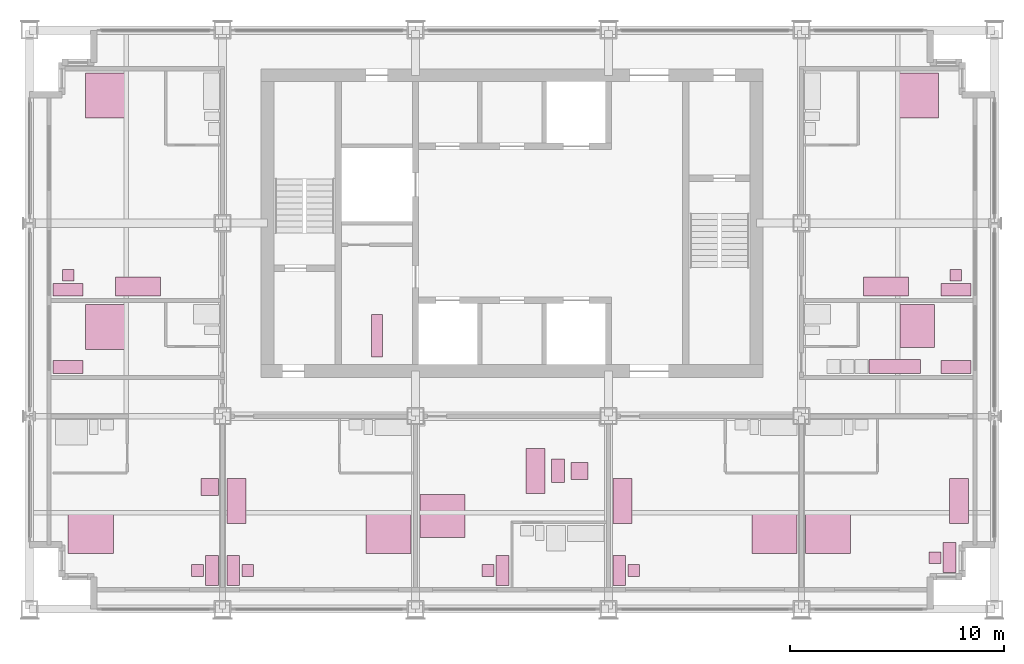
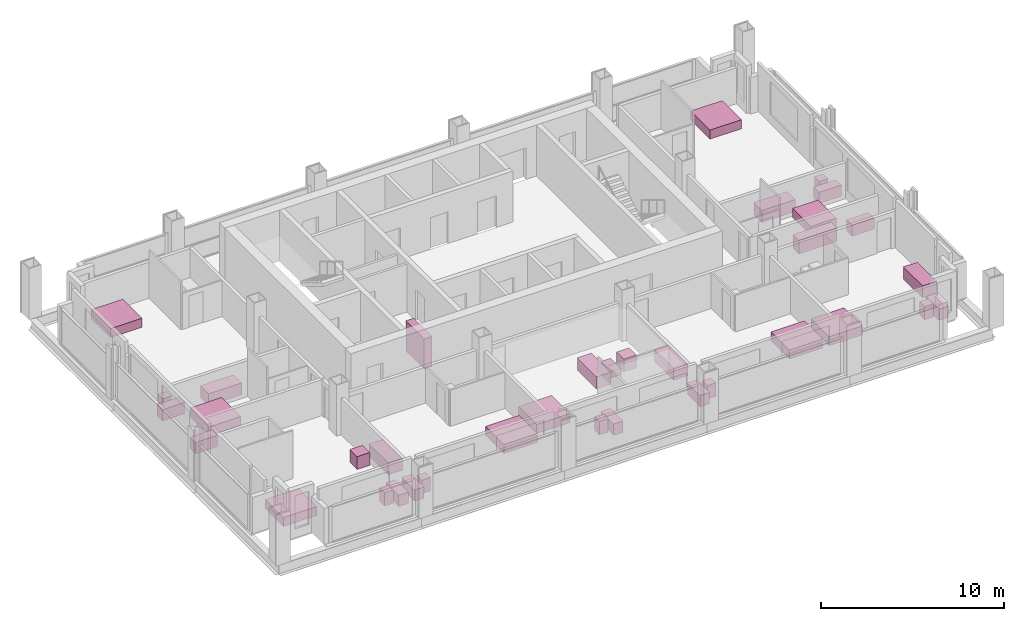
# One storey, part 13 of 13: 36 furniture elements.
"""IFC4 building model written with IfcOpenShell, lengths in metres."""

from ifc_helpers import new_model, si_unit, direction, frame, origin, origin_2d, place, context, subcontext, project, spatial, rectangle, extrude, element, save


model = new_model("IFC4")

# Units and contexts
model_context = context("Model", 3, precision=1e-05, world=origin(), true_north=direction((0.0, 1.0)))
body_context = subcontext(model_context, "Body", "Model", "MODEL_VIEW")
ifc_project = project(units=[si_unit("LENGTHUNIT", "METRE"), si_unit("AREAUNIT", "SQUARE_METRE"), si_unit("VOLUMEUNIT", "CUBIC_METRE"), si_unit("PLANEANGLEUNIT", "RADIAN"), si_unit("MASSUNIT", "GRAM", prefix="KILO")], contexts=[model_context])

# Site, building, storey
site_placement = place(None, origin())
site = spatial("IfcSite", under=ifc_project, at=site_placement, CompositionType="ELEMENT")
building_placement = place(site_placement, origin())
building = spatial("IfcBuilding", under=site, at=building_placement, Name="Loomwork Tower", CompositionType="ELEMENT")
storey_placement = place(building_placement, frame((0.0, 0.0, 174.0)))
storey = spatial("IfcBuildingStorey", under=building, at=storey_placement, Name="L47", CompositionType="ELEMENT", Elevation=174.0)

# Furniture
furniture_1_placement = place(storey_placement, frame((2.85009765625, 3.60009765625, 0.0), z_axis=(0.0, 0.0, 1.0), x_axis=(1.0, 0.0, 0.0)))
element("IfcFurniture", 1, at=furniture_1_placement, inside=storey, Name="King bed L47", PredefinedType="BED", context=body_context, shape_type="SweptSolid", body=[
    extrude(rectangle(XDim=2.10009765625, YDim=2.0, at=origin_2d()), origin(), (0.0, 0.0, 1.0), 0.60009765625),
])
furniture_2_placement = place(storey_placement, frame((8.5, 1.800048828125, 0.0), z_axis=(0.0, 0.0, 1.0), x_axis=(1.0, 0.0, 0.0)))
element("IfcFurniture", 2, at=furniture_2_placement, inside=storey, Name="Writing desk L47", PredefinedType="DESK", context=body_context, shape_type="SweptSolid", body=[
    extrude(rectangle(XDim=0.60009765625, YDim=1.39990234375, at=origin_2d()), origin(), (0.0, 0.0, 1.0), 0.75),
])
furniture_3_placement = place(storey_placement, frame((7.824951171875, 1.800048828125, 0.0), z_axis=(0.0, 0.0, 1.0), x_axis=(1.0, 0.0, 0.0)))
element("IfcFurniture", 3, at=furniture_3_placement, inside=storey, Name="Desk chair L47", PredefinedType="CHAIR", context=body_context, shape_type="SweptSolid", body=[
    extrude(rectangle(XDim=0.550048828125, YDim=0.550048828125, at=origin_2d()), origin(), (0.0, 0.0, 1.0), 0.89990234375),
])
furniture_4_placement = place(storey_placement, frame((8.39990234375, 5.699951171875, 0.0), z_axis=(0.0, 0.0, 1.0), x_axis=(1.0, 0.0, 0.0)))
element("IfcFurniture", 4, at=furniture_4_placement, inside=storey, Name="Lounge armchair L47", PredefinedType="CHAIR", context=body_context, shape_type="SweptSolid", body=[
    extrude(rectangle(XDim=0.800048828125, YDim=0.800048828125, at=origin_2d()), origin(), (0.0, 0.0, 1.0), 0.85009765625),
])
furniture_5_placement = place(storey_placement, frame((16.75, 3.60009765625, 0.0), z_axis=(0.0, 0.0, 1.0), x_axis=(1.0, 0.0, 0.0)))
element("IfcFurniture", 5, at=furniture_5_placement, inside=storey, Name="King bed L47", PredefinedType="BED", context=body_context, shape_type="SweptSolid", body=[
    extrude(rectangle(XDim=2.10009765625, YDim=2.0, at=origin_2d()), origin(), (0.0, 0.0, 1.0), 0.60009765625),
])
furniture_6_placement = place(storey_placement, frame((9.5, 1.800048828125, 0.0), z_axis=(0.0, 0.0, 1.0), x_axis=(1.0, 0.0, 0.0)))
element("IfcFurniture", 6, at=furniture_6_placement, inside=storey, Name="Writing desk L47", PredefinedType="DESK", context=body_context, shape_type="SweptSolid", body=[
    extrude(rectangle(XDim=0.60009765625, YDim=1.39990234375, at=origin_2d()), origin(), (0.0, 0.0, 1.0), 0.75),
])
furniture_7_placement = place(storey_placement, frame((10.175048828125, 1.800048828125, 0.0), z_axis=(0.0, 0.0, 1.0), x_axis=(1.0, 0.0, 0.0)))
element("IfcFurniture", 7, at=furniture_7_placement, inside=storey, Name="Desk chair L47", PredefinedType="CHAIR", context=body_context, shape_type="SweptSolid", body=[
    extrude(rectangle(XDim=0.550048828125, YDim=0.550048828125, at=origin_2d()), origin(), (0.0, 0.0, 1.0), 0.89990234375),
])
furniture_8_placement = place(storey_placement, frame((9.64990234375, 5.050048828125, 0.0), z_axis=(0.0, 0.0, 1.0), x_axis=(1.0, 0.0, 0.0)))
element("IfcFurniture", 8, at=furniture_8_placement, inside=storey, Name="Sofa L47", PredefinedType="SOFA", context=body_context, shape_type="SweptSolid", body=[
    extrude(rectangle(XDim=0.89990234375, YDim=2.10009765625, at=origin_2d()), origin(), (0.0, 0.0, 1.0), 0.800048828125),
])
furniture_9_placement = place(storey_placement, frame((19.25, 4.35009765625, 0.0), z_axis=(0.0, 0.0, 1.0), x_axis=(1.0, 0.0, 0.0)))
element("IfcFurniture", 9, at=furniture_9_placement, inside=storey, Name="King bed L47", PredefinedType="BED", context=body_context, shape_type="SweptSolid", body=[
    extrude(rectangle(XDim=2.10009765625, YDim=2.0, at=origin_2d()), origin(), (0.0, 0.0, 1.0), 0.60009765625),
])
furniture_10_placement = place(storey_placement, frame((22.050048828125, 1.800048828125, 0.0), z_axis=(0.0, 0.0, 1.0), x_axis=(1.0, 0.0, 0.0)))
element("IfcFurniture", 10, at=furniture_10_placement, inside=storey, Name="Writing desk L47", PredefinedType="DESK", context=body_context, shape_type="SweptSolid", body=[
    extrude(rectangle(XDim=0.60009765625, YDim=1.39990234375, at=origin_2d()), origin(), (0.0, 0.0, 1.0), 0.75),
])
furniture_11_placement = place(storey_placement, frame((21.375, 1.800048828125, 0.0), z_axis=(0.0, 0.0, 1.0), x_axis=(1.0, 0.0, 0.0)))
element("IfcFurniture", 11, at=furniture_11_placement, inside=storey, Name="Desk chair L47", PredefinedType="CHAIR", context=body_context, shape_type="SweptSolid", body=[
    extrude(rectangle(XDim=0.550048828125, YDim=0.550048828125, at=origin_2d()), origin(), (0.0, 0.0, 1.0), 0.89990234375),
])
furniture_12_placement = place(storey_placement, frame((23.60009765625, 6.449951171875, 0.0), z_axis=(0.0, 0.0, 1.0), x_axis=(1.0, 0.0, 0.0)))
element("IfcFurniture", 12, at=furniture_12_placement, inside=storey, Name="Sofa L47", PredefinedType="SOFA", context=body_context, shape_type="SweptSolid", body=[
    extrude(rectangle(XDim=0.89990234375, YDim=2.10009765625, at=origin_2d()), origin(), (0.0, 0.0, 1.0), 0.800048828125),
])
furniture_13_placement = place(storey_placement, frame((24.64990234375, 6.449951171875, 0.0), z_axis=(0.0, 0.0, 1.0), x_axis=(1.0, 0.0, 0.0)))
element("IfcFurniture", 13, at=furniture_13_placement, inside=storey, Name="Coffee table L47", PredefinedType="TABLE", context=body_context, shape_type="SweptSolid", body=[
    extrude(rectangle(XDim=0.60009765625, YDim=1.10009765625, at=origin_2d()), origin(), (0.0, 0.0, 1.0), 0.449951171875),
])
furniture_14_placement = place(storey_placement, frame((25.64990234375, 6.449951171875, 0.0), z_axis=(0.0, 0.0, 1.0), x_axis=(1.0, 0.0, 0.0)))
element("IfcFurniture", 14, at=furniture_14_placement, inside=storey, Name="Lounge armchair L47", PredefinedType="CHAIR", context=body_context, shape_type="SweptSolid", body=[
    extrude(rectangle(XDim=0.800048828125, YDim=0.800048828125, at=origin_2d()), origin(), (0.0, 0.0, 1.0), 0.85009765625),
])
furniture_15_placement = place(storey_placement, frame((34.75, 3.60009765625, 0.0), z_axis=(0.0, 0.0, 1.0), x_axis=(1.0, 0.0, 0.0)))
element("IfcFurniture", 15, at=furniture_15_placement, inside=storey, Name="King bed L47", PredefinedType="BED", context=body_context, shape_type="SweptSolid", body=[
    extrude(rectangle(XDim=2.10009765625, YDim=2.0, at=origin_2d()), origin(), (0.0, 0.0, 1.0), 0.60009765625),
])
furniture_16_placement = place(storey_placement, frame((27.5, 1.800048828125, 0.0), z_axis=(0.0, 0.0, 1.0), x_axis=(1.0, 0.0, 0.0)))
element("IfcFurniture", 16, at=furniture_16_placement, inside=storey, Name="Writing desk L47", PredefinedType="DESK", context=body_context, shape_type="SweptSolid", body=[
    extrude(rectangle(XDim=0.60009765625, YDim=1.39990234375, at=origin_2d()), origin(), (0.0, 0.0, 1.0), 0.75),
])
furniture_17_placement = place(storey_placement, frame((28.175048828125, 1.800048828125, 0.0), z_axis=(0.0, 0.0, 1.0), x_axis=(1.0, 0.0, 0.0)))
element("IfcFurniture", 17, at=furniture_17_placement, inside=storey, Name="Desk chair L47", PredefinedType="CHAIR", context=body_context, shape_type="SweptSolid", body=[
    extrude(rectangle(XDim=0.550048828125, YDim=0.550048828125, at=origin_2d()), origin(), (0.0, 0.0, 1.0), 0.89990234375),
])
furniture_18_placement = place(storey_placement, frame((27.64990234375, 5.050048828125, 0.0), z_axis=(0.0, 0.0, 1.0), x_axis=(1.0, 0.0, 0.0)))
element("IfcFurniture", 18, at=furniture_18_placement, inside=storey, Name="Sofa L47", PredefinedType="SOFA", context=body_context, shape_type="SweptSolid", body=[
    extrude(rectangle(XDim=0.89990234375, YDim=2.10009765625, at=origin_2d()), origin(), (0.0, 0.0, 1.0), 0.800048828125),
])
furniture_19_placement = place(storey_placement, frame((37.25, 3.60009765625, 0.0), z_axis=(0.0, 0.0, 1.0), x_axis=(1.0, 0.0, 0.0)))
element("IfcFurniture", 19, at=furniture_19_placement, inside=storey, Name="King bed L47", PredefinedType="BED", context=body_context, shape_type="SweptSolid", body=[
    extrude(rectangle(XDim=2.10009765625, YDim=2.0, at=origin_2d()), origin(), (0.0, 0.0, 1.0), 0.60009765625),
])
furniture_20_placement = place(storey_placement, frame((42.89990234375, 2.39990234375, 0.0), z_axis=(0.0, 0.0, 1.0), x_axis=(1.0, 0.0, 0.0)))
element("IfcFurniture", 20, at=furniture_20_placement, inside=storey, Name="Writing desk L47", PredefinedType="DESK", context=body_context, shape_type="SweptSolid", body=[
    extrude(rectangle(XDim=0.60009765625, YDim=1.39990234375, at=origin_2d()), origin(), (0.0, 0.0, 1.0), 0.75),
])
furniture_21_placement = place(storey_placement, frame((42.22509765625, 2.39990234375, 0.0), z_axis=(0.0, 0.0, 1.0), x_axis=(1.0, 0.0, 0.0)))
element("IfcFurniture", 21, at=furniture_21_placement, inside=storey, Name="Desk chair L47", PredefinedType="CHAIR", context=body_context, shape_type="SweptSolid", body=[
    extrude(rectangle(XDim=0.550048828125, YDim=0.550048828125, at=origin_2d()), origin(), (0.0, 0.0, 1.0), 0.89990234375),
])
furniture_22_placement = place(storey_placement, frame((43.35009765625, 5.050048828125, 0.0), z_axis=(0.0, 0.0, 1.0), x_axis=(1.0, 0.0, 0.0)))
element("IfcFurniture", 22, at=furniture_22_placement, inside=storey, Name="Sofa L47", PredefinedType="SOFA", context=body_context, shape_type="SweptSolid", body=[
    extrude(rectangle(XDim=0.89990234375, YDim=2.10009765625, at=origin_2d()), origin(), (0.0, 0.0, 1.0), 0.800048828125),
])
furniture_23_placement = place(storey_placement, frame((3.60009765625, 13.14990234375, 0.0), z_axis=(0.0, 0.0, 1.0), x_axis=(1.0, 0.0, 0.0)))
element("IfcFurniture", 23, at=furniture_23_placement, inside=storey, Name="King bed L47", PredefinedType="BED", context=body_context, shape_type="SweptSolid", body=[
    extrude(rectangle(XDim=2.0, YDim=2.10009765625, at=origin_2d()), origin(), (0.0, 0.0, 1.0), 0.60009765625),
])
furniture_24_placement = place(storey_placement, frame((1.800048828125, 11.300048828125, 0.0), z_axis=(0.0, 0.0, 1.0), x_axis=(1.0, 0.0, 0.0)))
element("IfcFurniture", 24, at=furniture_24_placement, inside=storey, Name="Writing desk L47", PredefinedType="DESK", context=body_context, shape_type="SweptSolid", body=[
    extrude(rectangle(XDim=1.39990234375, YDim=0.60009765625, at=origin_2d()), origin(), (0.0, 0.0, 1.0), 0.75),
])
furniture_25_placement = place(storey_placement, frame((3.60009765625, 23.949951171875, 0.0), z_axis=(0.0, 0.0, 1.0), x_axis=(1.0, 0.0, 0.0)))
element("IfcFurniture", 25, at=furniture_25_placement, inside=storey, Name="King bed L47", PredefinedType="BED", context=body_context, shape_type="SweptSolid", body=[
    extrude(rectangle(XDim=2.0, YDim=2.10009765625, at=origin_2d()), origin(), (0.0, 0.0, 1.0), 0.60009765625),
])
furniture_26_placement = place(storey_placement, frame((1.800048828125, 14.89990234375, 0.0), z_axis=(0.0, 0.0, 1.0), x_axis=(1.0, 0.0, 0.0)))
element("IfcFurniture", 26, at=furniture_26_placement, inside=storey, Name="Writing desk L47", PredefinedType="DESK", context=body_context, shape_type="SweptSolid", body=[
    extrude(rectangle(XDim=1.39990234375, YDim=0.60009765625, at=origin_2d()), origin(), (0.0, 0.0, 1.0), 0.75),
])
furniture_27_placement = place(storey_placement, frame((1.800048828125, 15.574951171875, 0.0), z_axis=(0.0, 0.0, 1.0), x_axis=(1.0, 0.0, 0.0)))
element("IfcFurniture", 27, at=furniture_27_placement, inside=storey, Name="Desk chair L47", PredefinedType="CHAIR", context=body_context, shape_type="SweptSolid", body=[
    extrude(rectangle(XDim=0.550048828125, YDim=0.550048828125, at=origin_2d()), origin(), (0.0, 0.0, 1.0), 0.89990234375),
])
furniture_28_placement = place(storey_placement, frame((5.050048828125, 15.050048828125, 0.0), z_axis=(0.0, 0.0, 1.0), x_axis=(1.0, 0.0, 0.0)))
element("IfcFurniture", 28, at=furniture_28_placement, inside=storey, Name="Sofa L47", PredefinedType="SOFA", context=body_context, shape_type="SweptSolid", body=[
    extrude(rectangle(XDim=2.10009765625, YDim=0.89990234375, at=origin_2d()), origin(), (0.0, 0.0, 1.0), 0.800048828125),
])
furniture_29_placement = place(storey_placement, frame((41.39990234375, 13.199951171875, 0.0), z_axis=(0.0, 0.0, 1.0), x_axis=(1.0, 0.0, 0.0)))
element("IfcFurniture", 29, at=furniture_29_placement, inside=storey, Name="Queen bed L47", PredefinedType="BED", context=body_context, shape_type="SweptSolid", body=[
    extrude(rectangle(XDim=1.60009765625, YDim=2.0, at=origin_2d()), origin(), (0.0, 0.0, 1.0), 0.60009765625),
])
furniture_30_placement = place(storey_placement, frame((43.199951171875, 11.300048828125, 0.0), z_axis=(0.0, 0.0, 1.0), x_axis=(1.0, 0.0, 0.0)))
element("IfcFurniture", 30, at=furniture_30_placement, inside=storey, Name="Writing desk L47", PredefinedType="DESK", context=body_context, shape_type="SweptSolid", body=[
    extrude(rectangle(XDim=1.39990234375, YDim=0.60009765625, at=origin_2d()), origin(), (0.0, 0.0, 1.0), 0.75),
])
furniture_31_placement = place(storey_placement, frame((40.35009765625, 11.324951171875, 0.0), z_axis=(0.0, 0.0, 1.0), x_axis=(1.0, 0.0, 0.0)))
element("IfcFurniture", 31, at=furniture_31_placement, inside=storey, Name="Kitchenette counter L47", ObjectType="KITCHENETTE", PredefinedType="USERDEFINED", context=body_context, shape_type="SweptSolid", body=[
    extrude(rectangle(XDim=2.39990234375, YDim=0.64990234375, at=origin_2d()), origin(), (0.0, 0.0, 1.0), 0.89990234375),
])
furniture_32_placement = place(storey_placement, frame((41.39990234375, 23.949951171875, 0.0), z_axis=(0.0, 0.0, 1.0), x_axis=(1.0, 0.0, 0.0)))
element("IfcFurniture", 32, at=furniture_32_placement, inside=storey, Name="King bed L47", PredefinedType="BED", context=body_context, shape_type="SweptSolid", body=[
    extrude(rectangle(XDim=2.0, YDim=2.10009765625, at=origin_2d()), origin(), (0.0, 0.0, 1.0), 0.60009765625),
])
furniture_33_placement = place(storey_placement, frame((43.199951171875, 14.89990234375, 0.0), z_axis=(0.0, 0.0, 1.0), x_axis=(1.0, 0.0, 0.0)))
element("IfcFurniture", 33, at=furniture_33_placement, inside=storey, Name="Writing desk L47", PredefinedType="DESK", context=body_context, shape_type="SweptSolid", body=[
    extrude(rectangle(XDim=1.39990234375, YDim=0.60009765625, at=origin_2d()), origin(), (0.0, 0.0, 1.0), 0.75),
])
furniture_34_placement = place(storey_placement, frame((43.199951171875, 15.574951171875, 0.0), z_axis=(0.0, 0.0, 1.0), x_axis=(1.0, 0.0, 0.0)))
element("IfcFurniture", 34, at=furniture_34_placement, inside=storey, Name="Desk chair L47", PredefinedType="CHAIR", context=body_context, shape_type="SweptSolid", body=[
    extrude(rectangle(XDim=0.550048828125, YDim=0.550048828125, at=origin_2d()), origin(), (0.0, 0.0, 1.0), 0.89990234375),
])
furniture_35_placement = place(storey_placement, frame((39.949951171875, 15.050048828125, 0.0), z_axis=(0.0, 0.0, 1.0), x_axis=(1.0, 0.0, 0.0)))
element("IfcFurniture", 35, at=furniture_35_placement, inside=storey, Name="Sofa L47", PredefinedType="SOFA", context=body_context, shape_type="SweptSolid", body=[
    extrude(rectangle(XDim=2.10009765625, YDim=0.89990234375, at=origin_2d()), origin(), (0.0, 0.0, 1.0), 0.800048828125),
])
furniture_36_placement = place(storey_placement, frame((16.199951171875, 12.75, 0.0), z_axis=(0.0, 0.0, 1.0), x_axis=(1.0, 0.0, 0.0)))
element("IfcFurniture", 36, at=furniture_36_placement, inside=storey, Name="Linen shelving L47", PredefinedType="SHELF", context=body_context, shape_type="SweptSolid", body=[
    extrude(rectangle(XDim=0.5, YDim=2.0, at=origin_2d()), origin(), (0.0, 0.0, 1.0), 2.0),
])

save(model, "model.ifc")
